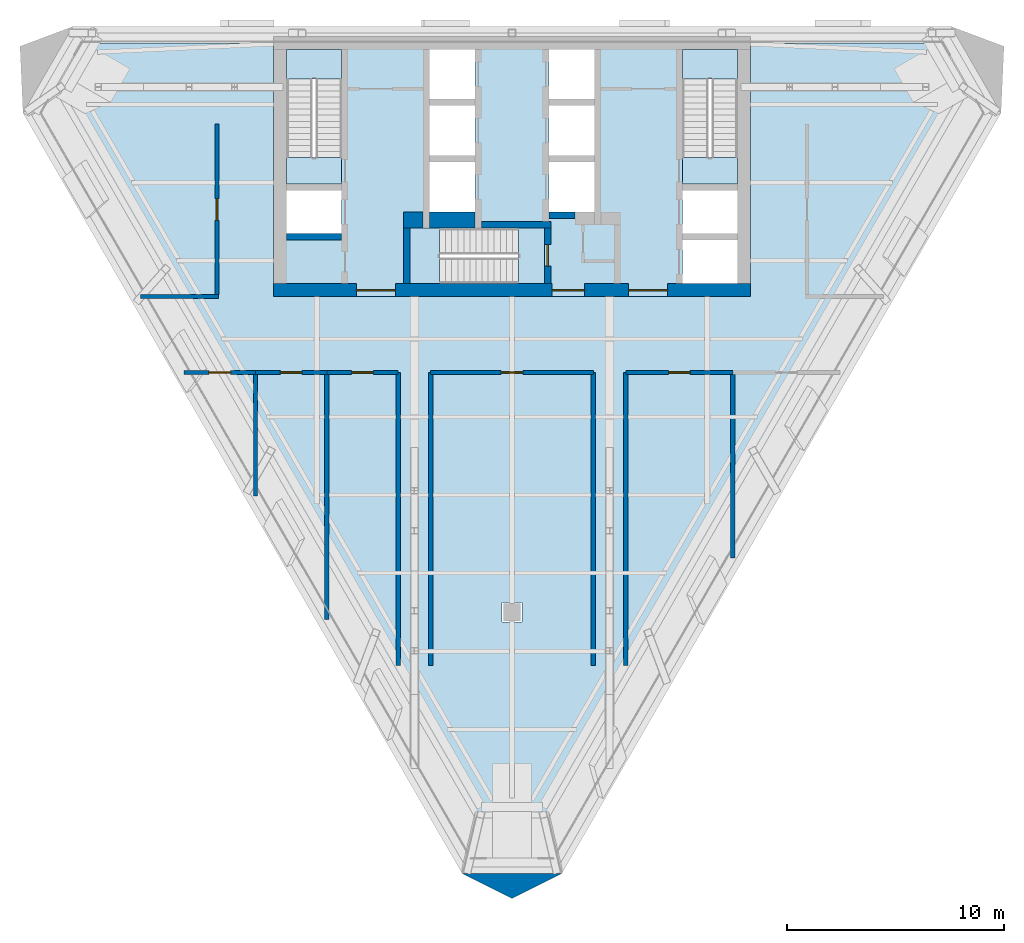
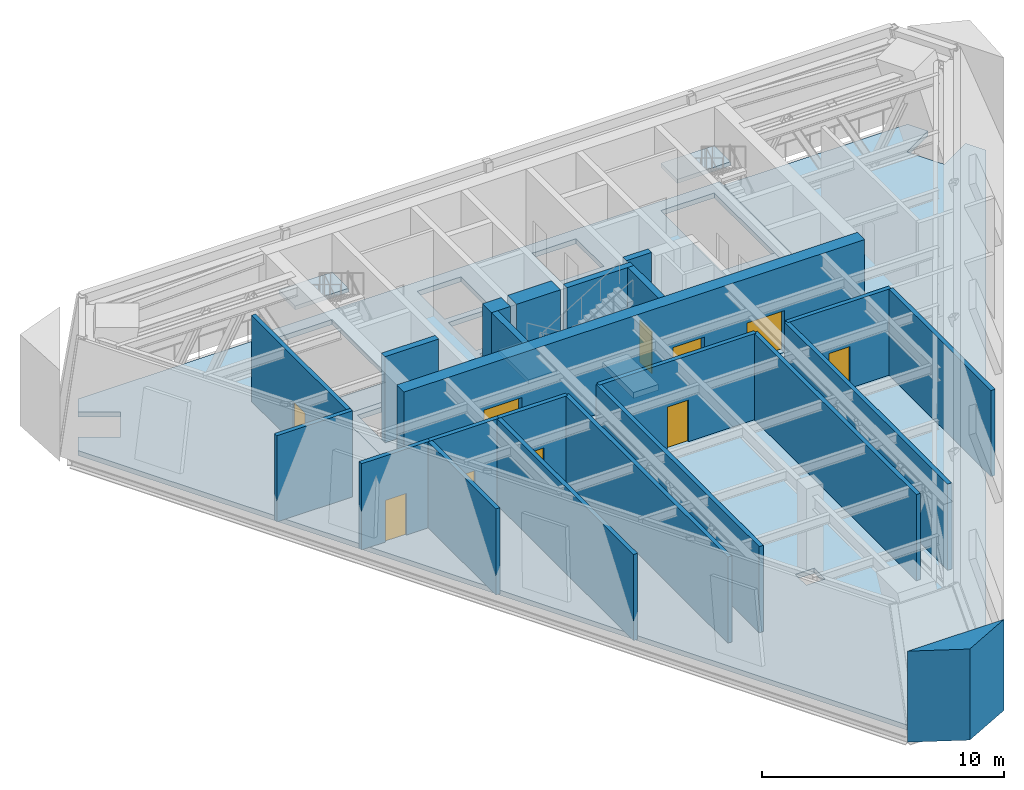
# One storey, part 3 of 11: 23 walls, 10 doors, 8 slabs, 10 openings, 3 elements without a shape of their own.
"""IFC4 building model written with IfcOpenShell, lengths in metres."""

from ifc_helpers import new_model, si_unit, direction, frame, frame_2d, origin, place, context, subcontext, project, spatial, polyline, rectangle, outline, extrude, material, layer, layer_set, type_object, element, fill, aggregate, save


model = new_model("IFC4")

# Units and contexts
model_context = context("Model", 3, precision=1e-05, world=origin(), true_north=direction((0.0, 1.0)))
body_context = subcontext(model_context, "Body", "Model", "MODEL_VIEW")
ifc_project = project(units=[si_unit("LENGTHUNIT", "METRE"), si_unit("AREAUNIT", "SQUARE_METRE"), si_unit("VOLUMEUNIT", "CUBIC_METRE"), si_unit("PLANEANGLEUNIT", "RADIAN"), si_unit("MASSUNIT", "GRAM", prefix="KILO")], contexts=[model_context])

# Site, building, storey
site_placement = place(None, origin())
site = spatial("IfcSite", under=ifc_project, at=site_placement, CompositionType="ELEMENT")
building_placement = place(site_placement, origin())
building = spatial("IfcBuilding", under=site, at=building_placement, Name="Aloe Facet Convention Tower", CompositionType="ELEMENT")
storey_placement = place(building_placement, frame((0.0, 0.0, 175.39990234375)))
storey = spatial("IfcBuildingStorey", under=building, at=storey_placement, Name="L44", CompositionType="ELEMENT", Elevation=175.39990234375)

# Slabs
ifc_material_1 = material(Name="Concrete C60/75", Category="concrete")
ifc_layer_1 = layer(ifc_material_1, 0.25)
ifc_layer_set_1 = layer_set([ifc_layer_1], Name="CR-S-FLOOR250-C6075")
slab_type_1 = type_object("IfcSlabType", Name="CR-S-FLOOR250-C6075", PredefinedType="FLOOR", material=ifc_layer_set_1)
slab_1_placement = place(storey_placement, frame((0.0, 0.0, -0.25)))
element("IfcSlab", 1, at=slab_1_placement, inside=storey, type_object=slab_type_1, Name="Core floor L44", PredefinedType="FLOOR", context=body_context, shape_type="SweptSolid", body=[
    extrude(outline(polyline([(71.85009765625, 134.550048828125), (72.75, 134.550048828125), (75.60009765625, 134.550048828125), (76.5, 134.550048828125), (78.0, 134.550048828125), (78.89990234375, 134.550048828125), (81.10009765625, 134.550048828125), (82.0, 134.550048828125), (83.5, 134.550048828125), (84.39990234375, 134.550048828125), (87.25, 134.550048828125), (88.14990234375, 134.550048828125), (91.0, 134.550048828125), (91.0, 128.050048828125), (91.0, 127.14990234375), (91.0, 125.75), (91.0, 124.85009765625), (91.0, 122.550048828125), (88.14990234375, 122.550048828125), (87.25, 122.550048828125), (85.300048828125, 122.550048828125), (84.39990234375, 122.550048828125), (82.10009765625, 122.550048828125), (81.199951171875, 122.550048828125), (75.60009765625, 122.550048828125), (74.699951171875, 122.550048828125), (72.75, 122.550048828125), (71.85009765625, 122.550048828125), (69.0, 122.550048828125), (69.0, 124.85009765625), (69.0, 125.75), (69.0, 127.14990234375), (69.0, 128.050048828125), (69.0, 134.550048828125), (71.85009765625, 134.550048828125)]), holes=[polyline([(80.298828125, 123.14990234375), (81.5, 123.14990234375), (81.5, 125.699951171875), (80.298828125, 125.699951171875), (75.300048828125, 125.699951171875), (75.300048828125, 123.14990234375), (80.298828125, 123.14990234375)]), polyline([(69.60009765625, 125.449951171875), (72.14990234375, 125.449951171875), (72.14990234375, 127.449951171875), (69.60009765625, 127.449951171875), (69.60009765625, 125.449951171875)]), polyline([(76.199951171875, 126.449951171875), (78.300048828125, 126.449951171875), (78.300048828125, 128.75), (76.199951171875, 128.75), (76.199951171875, 126.449951171875)]), polyline([(78.300048828125, 129.050048828125), (78.300048828125, 131.35009765625), (76.199951171875, 131.35009765625), (76.199951171875, 129.050048828125), (78.300048828125, 129.050048828125)]), polyline([(69.60009765625, 133.949951171875), (69.60009765625, 128.951171875), (69.60009765625, 127.75), (72.14990234375, 127.75), (72.14990234375, 128.951171875), (72.14990234375, 133.949951171875), (69.60009765625, 133.949951171875)]), polyline([(76.199951171875, 131.64990234375), (78.300048828125, 131.64990234375), (78.300048828125, 133.949951171875), (76.199951171875, 133.949951171875), (76.199951171875, 131.64990234375)]), polyline([(90.39990234375, 123.14990234375), (90.39990234375, 125.14990234375), (87.85009765625, 125.14990234375), (87.85009765625, 123.14990234375), (90.39990234375, 123.14990234375)]), polyline([(87.85009765625, 125.449951171875), (90.39990234375, 125.449951171875), (90.39990234375, 127.449951171875), (87.85009765625, 127.449951171875), (87.85009765625, 125.449951171875)]), polyline([(81.699951171875, 126.449951171875), (83.800048828125, 126.449951171875), (83.800048828125, 128.75), (81.699951171875, 128.75), (81.699951171875, 126.449951171875)]), polyline([(83.800048828125, 129.050048828125), (83.800048828125, 131.35009765625), (81.699951171875, 131.35009765625), (81.699951171875, 129.050048828125), (83.800048828125, 129.050048828125)]), polyline([(87.85009765625, 133.949951171875), (87.85009765625, 128.951171875), (87.85009765625, 127.75), (90.39990234375, 127.75), (90.39990234375, 128.951171875), (90.39990234375, 133.949951171875), (87.85009765625, 133.949951171875)]), polyline([(81.699951171875, 131.64990234375), (83.800048828125, 131.64990234375), (83.800048828125, 133.949951171875), (81.699951171875, 133.949951171875), (81.699951171875, 131.64990234375)])]), origin(), (0.0, 0.0, 1.0), 0.25),
])
ifc_material_2 = material(Name="Concrete C60/75", Category="concrete")
ifc_layer_2 = layer(ifc_material_2, 0.300048828125)
ifc_layer_set_2 = layer_set([ifc_layer_2], Name="CR-S-FLOOR300-C6075")
slab_type_2 = type_object("IfcSlabType", Name="CR-S-FLOOR300-C6075", PredefinedType="FLOOR", material=ifc_layer_set_2)
slab_2_placement = place(storey_placement, frame((0.0, 0.0, -0.2998046875)))
element("IfcSlab", 2, at=slab_2_placement, inside=storey, type_object=slab_type_2, Name="Stair landing floor L44", PredefinedType="FLOOR", context=body_context, shape_type="SweptSolid", body=[
    extrude(outline(polyline([(72.14990234375, 127.75), (72.14990234375, 128.951171875), (69.60009765625, 128.951171875), (69.60009765625, 127.75), (72.14990234375, 127.75)])), origin(), (0.0, 0.0, 1.0), 0.2998046875),
])
slab_3_placement = place(storey_placement, frame((0.0, 0.0, -0.2998046875)))
element("IfcSlab", 3, at=slab_3_placement, inside=storey, type_object=slab_type_2, Name="Stair landing floor L44", PredefinedType="FLOOR", context=body_context, shape_type="SweptSolid", body=[
    extrude(outline(polyline([(90.39990234375, 127.75), (90.39990234375, 128.951171875), (87.85009765625, 128.951171875), (87.85009765625, 127.75), (90.39990234375, 127.75)])), origin(), (0.0, 0.0, 1.0), 0.2998046875),
])
slab_4_placement = place(storey_placement, frame((0.0, 0.0, -0.2998046875)))
element("IfcSlab", 4, at=slab_4_placement, inside=storey, type_object=slab_type_2, Name="Stair landing floor L44", PredefinedType="FLOOR", context=body_context, shape_type="SweptSolid", body=[
    extrude(outline(polyline([(81.5, 125.699951171875), (80.298828125, 125.699951171875), (80.298828125, 123.14990234375), (81.5, 123.14990234375), (81.5, 125.699951171875)])), origin(), (0.0, 0.0, 1.0), 0.2998046875),
])

# Stair, slab
ifc_material_3 = material(Name="Concrete C50/60", Category="concrete")
stair_type = type_object("IfcStairType", Name="CR-ST-28R", PredefinedType="HALF_TURN_STAIR", material=ifc_material_3)
stair_1_placement = place(storey_placement, origin())
stair_1 = element("IfcStair", 5, at=stair_1_placement, inside=storey, type_object=stair_type, Name="L44 Protected exit stair ST1", PredefinedType="HALF_TURN_STAIR")
ifc_material_4 = material(Name="Concrete C50/60", Category="concrete")
ifc_layer_3 = layer(ifc_material_4, 0.199951171875)
ifc_layer_set_3 = layer_set([ifc_layer_3], Name="CR-SL-LANDING")
slab_type_3 = type_object("IfcSlabType", Name="CR-SL-LANDING", PredefinedType="LANDING", material=ifc_layer_set_3)
slab_5_placement = place(storey_placement, frame((0.0, 0.0, 2.2001953125)))
slab_5 = element("IfcSlab", 6, at=slab_5_placement, type_object=slab_type_3, Name="ST1 landing 1", PredefinedType="LANDING", context=body_context, shape_type="SweptSolid", body=[
    extrude(outline(polyline([(72.14990234375, 132.590087890625), (72.14990234375, 133.949951171875), (69.60009765625, 133.949951171875), (69.60009765625, 132.590087890625), (72.14990234375, 132.590087890625)])), origin(), (0.0, 0.0, 1.0), 0.199951171875),
])
aggregate(stair_1, [slab_5])

stair_2_placement = place(storey_placement, origin())
stair_2 = element("IfcStair", 7, at=stair_2_placement, inside=storey, type_object=stair_type, Name="L44 Protected exit stair ST2", PredefinedType="HALF_TURN_STAIR")
slab_6_placement = place(storey_placement, frame((0.0, 0.0, 2.2001953125)))
slab_6 = element("IfcSlab", 8, at=slab_6_placement, type_object=slab_type_3, Name="ST2 landing 1", PredefinedType="LANDING", context=body_context, shape_type="SweptSolid", body=[
    extrude(outline(polyline([(90.39990234375, 132.590087890625), (90.39990234375, 133.949951171875), (87.85009765625, 133.949951171875), (87.85009765625, 132.590087890625), (90.39990234375, 132.590087890625)])), origin(), (0.0, 0.0, 1.0), 0.199951171875),
])
aggregate(stair_2, [slab_6])

stair_3_placement = place(storey_placement, origin())
stair_3 = element("IfcStair", 9, at=stair_3_placement, inside=storey, type_object=stair_type, Name="L44 Protected exit stair ST3", PredefinedType="HALF_TURN_STAIR")
slab_7_placement = place(storey_placement, frame((0.0, 0.0, 2.2001953125)))
slab_7 = element("IfcSlab", 10, at=slab_7_placement, type_object=slab_type_3, Name="ST3 landing 1", PredefinedType="LANDING", context=body_context, shape_type="SweptSolid", body=[
    extrude(outline(polyline([(76.659912109375, 125.699951171875), (75.300048828125, 125.699951171875), (75.300048828125, 123.14990234375), (76.659912109375, 123.14990234375), (76.659912109375, 125.699951171875)])), origin(), (0.0, 0.0, 1.0), 0.199951171875),
])
aggregate(stair_3, [slab_7])

# Slab
ifc_material_5 = material(Name="Concrete C35/45", Category="concrete")
ifc_layer_4 = layer(ifc_material_5, 0.25)
ifc_layer_set_4 = layer_set([ifc_layer_4], Name="SF-FS-250")
slab_type_4 = type_object("IfcSlabType", Name="SF-FS-250", PredefinedType="FLOOR", material=ifc_layer_set_4)
slab_8_placement = place(storey_placement, frame((0.0, 0.0, -0.25)))
element("IfcSlab", 11, at=slab_8_placement, inside=storey, type_object=slab_type_4, Name="Floor slab L44-1", PredefinedType="FLOOR", context=body_context, shape_type="SweptSolid", body=[
    extrude(outline(polyline([(100.293701171875, 133.41259765625), (98.778076171875, 132.53759765625), (99.677978515625, 130.978759765625), (101.193603515625, 131.853759765625), (101.677001953125, 131.016357421875), (81.866943359375, 96.7041015625), (80.89990234375, 96.7041015625), (80.89990234375, 98.4541015625), (79.10009765625, 98.4541015625), (79.10009765625, 96.7041015625), (78.133056640625, 96.7041015625), (58.322998046875, 131.016357421875), (58.806396484375, 131.853759765625), (60.322021484375, 130.978759765625), (61.221923828125, 132.53759765625), (59.706298828125, 133.41259765625), (60.18994140625, 134.25), (69.0, 134.25), (69.0, 128.050048828125), (69.0, 127.14990234375), (69.0, 125.75), (69.0, 124.85009765625), (69.0, 122.550048828125), (71.85009765625, 122.550048828125), (72.75, 122.550048828125), (74.699951171875, 122.550048828125), (75.60009765625, 122.550048828125), (81.199951171875, 122.550048828125), (82.10009765625, 122.550048828125), (84.39990234375, 122.550048828125), (85.300048828125, 122.550048828125), (87.25, 122.550048828125), (88.14990234375, 122.550048828125), (91.0, 122.550048828125), (91.0, 124.85009765625), (91.0, 125.75), (91.0, 127.14990234375), (91.0, 128.050048828125), (91.0, 134.25), (99.81005859375, 134.25), (100.293701171875, 133.41259765625)]), holes=[polyline([(79.550048828125, 107.550048828125), (80.449951171875, 107.550048828125), (80.449951171875, 108.449951171875), (79.550048828125, 108.449951171875), (79.550048828125, 107.550048828125)])]), origin(), (0.0, 0.0, 1.0), 0.25),
])

# Walls
ifc_material_6 = material(Name="Concrete C60/75", Category="concrete")
ifc_layer_5 = layer(ifc_material_6, 0.300048828125)
ifc_layer_set_5 = layer_set([ifc_layer_5], Name="CR-W-RC300-C6075")
wall_type_1 = type_object("IfcWallType", Name="CR-W-RC300-C6075", PredefinedType="SOLIDWALL", material=ifc_layer_set_5)
wall_1_placement = place(storey_placement, frame((69.60009765625, 125.300048828125, 0.0), z_axis=(0.0, 0.0, 1.0), x_axis=(1.0, 0.0, 0.0)))
element("IfcWall", 12, at=wall_1_placement, inside=storey, type_object=wall_type_1, Name="Core wall L44-005", PredefinedType="SOLIDWALL", context=body_context, shape_type="SweptSolid", body=[
    extrude(rectangle(XDim=2.5498046875, YDim=0.300048828125, at=frame_2d((1.27490234375, 0.0))), origin(), (0.0, 0.0, 1.0), 4.35009765625),
])
wall_2_placement = place(storey_placement, frame((75.14990234375, 125.699951171875, 0.0), z_axis=(0.0, 0.0, 1.0), x_axis=(0.0, -1.0, 0.0)))
element("IfcWall", 13, at=wall_2_placement, inside=storey, type_object=wall_type_1, Name="Core wall L44-009", PredefinedType="SOLIDWALL", context=body_context, shape_type="SweptSolid", body=[
    extrude(rectangle(XDim=2.550048828125, YDim=0.300048828125, at=frame_2d((1.27490234375, 0.0))), origin(), (0.0, 0.0, 1.0), 4.35009765625),
])
wall_3_placement = place(storey_placement, frame((78.60009765625, 125.85009765625, 0.0), z_axis=(0.0, 0.0, 1.0), x_axis=(1.0, 0.0, 0.0)))
element("IfcWall", 14, at=wall_3_placement, inside=storey, type_object=wall_type_1, Name="Core wall L44-015", PredefinedType="SOLIDWALL", context=body_context, shape_type="SweptSolid", body=[
    extrude(rectangle(XDim=3.199951171875, YDim=0.300048828125, at=frame_2d((1.60009765625, 0.0))), origin(), (0.0, 0.0, 1.0), 4.35009765625),
])

# Wall, opening, door
wall_4_placement = place(storey_placement, frame((81.64990234375, 125.699951171875, 0.0), z_axis=(0.0, 0.0, 1.0), x_axis=(0.0, -1.0, 0.0)))
wall_4 = element("IfcWall", 15, at=wall_4_placement, inside=storey, type_object=wall_type_1, Name="Core wall L44-017", PredefinedType="SOLIDWALL", context=body_context, shape_type="SweptSolid", body=[
    extrude(rectangle(XDim=2.550048828125, YDim=0.300048828125, at=frame_2d((1.27490234375, 0.0))), origin(), (0.0, 0.0, 1.0), 4.35009765625),
])
opening_1_placement = place(wall_4_placement, frame((0.75, 0.0, 0.0)))
opening_1 = element("IfcOpeningElement", 16, at=opening_1_placement, cuts=wall_4, Name="Opening L44-CD18", PredefinedType="OPENING", context=body_context, shape_type="SweptSolid", body=[
    extrude(rectangle(XDim=1.0, YDim=2.10009765625, at=frame_2d((0.5, 1.050048828125))), frame((0.0, 0.16015625, 0.0), z_axis=(0.0, -1.0, 0.0), x_axis=(1.0, 0.0, 0.0)), (0.0, 0.0, 1.0), 0.320068359375),
])
ifc_material_7 = material(Name="Steel fire-resisting door set FD120", Category="steel")
door_type_1 = type_object("IfcDoorType", Name="CR-D-STAIR-1000-FD120-SLEFT", OperationType="SINGLE_SWING_LEFT", PredefinedType="DOOR", material=ifc_material_7)
door_1_placement = place(opening_1_placement, origin())
door_1 = element("IfcDoor", 17, at=door_1_placement, inside=storey, type_object=door_type_1, Name="Core door L44-CD18", OperationType="SINGLE_SWING_LEFT", OverallHeight=2.10009765625, OverallWidth=1.0, PredefinedType="DOOR", context=body_context, shape_type="SweptSolid", body=[
    extrude(rectangle(XDim=1.0, YDim=2.10009765625, at=frame_2d((0.5, 1.050048828125))), frame((0.0, 0.02490234375, 0.0), z_axis=(0.0, -1.0, 0.0), x_axis=(1.0, 0.0, 0.0)), (0.0, 0.0, 1.0), 0.050048828125),
])
fill(opening_1, door_1)

# Wall
wall_5_placement = place(storey_placement, frame((81.699951171875, 126.300048828125, 0.0), z_axis=(0.0, 0.0, 1.0), x_axis=(1.0, 0.0, 0.0)))
element("IfcWall", 18, at=wall_5_placement, inside=storey, type_object=wall_type_1, Name="Core wall L44-020", PredefinedType="SOLIDWALL", context=body_context, shape_type="SweptSolid", body=[
    extrude(rectangle(XDim=1.199951171875, YDim=0.300048828125, at=frame_2d((0.60009765625, 0.0))), origin(), (0.0, 0.0, 1.0), 4.35009765625),
])

# Wall, openings, doors
ifc_material_8 = material(Name="Concrete C60/75", Category="concrete")
ifc_layer_6 = layer(ifc_material_8, 0.60009765625)
ifc_layer_set_6 = layer_set([ifc_layer_6], Name="CR-W-RC600-C6075")
wall_type_2 = type_object("IfcWallType", Name="CR-W-RC600-C6075", PredefinedType="SOLIDWALL", material=ifc_layer_set_6)
wall_6_placement = place(storey_placement, frame((69.0, 122.85009765625, 0.0), z_axis=(0.0, 0.0, 1.0), x_axis=(1.0, 0.0, 0.0)))
wall_6 = element("IfcWall", 19, at=wall_6_placement, inside=storey, type_object=wall_type_2, Name="Core wall L44-003", PredefinedType="SOLIDWALL", context=body_context, shape_type="SweptSolid", body=[
    extrude(rectangle(XDim=22.0, YDim=0.60009765625, at=frame_2d((11.0, 0.0))), origin(), (0.0, 0.0, 1.0), 4.35009765625),
])
opening_2_placement = place(wall_6_placement, frame((16.375, 0.0, 0.0)))
opening_2 = element("IfcOpeningElement", 20, at=opening_2_placement, cuts=wall_6, Name="Opening L44-CD09", PredefinedType="OPENING", context=body_context, shape_type="SweptSolid", body=[
    extrude(rectangle(XDim=1.800048828125, YDim=2.10009765625, at=frame_2d((0.89990234375, 1.050048828125))), frame((0.0, 0.31005859375, 0.0), z_axis=(0.0, -1.0, 0.0), x_axis=(1.0, 0.0, 0.0)), (0.0, 0.0, 1.0), 0.6201171875),
])
opening_3_placement = place(wall_6_placement, frame((3.824951171875, 0.0, 0.0)))
opening_3 = element("IfcOpeningElement", 21, at=opening_3_placement, cuts=wall_6, Name="Opening L44-CD10", PredefinedType="OPENING", context=body_context, shape_type="SweptSolid", body=[
    extrude(rectangle(XDim=1.800048828125, YDim=2.10009765625, at=frame_2d((0.89990234375, 1.050048828125))), frame((0.0, 0.31005859375, 0.0), z_axis=(0.0, -1.0, 0.0), x_axis=(1.0, 0.0, 0.0)), (0.0, 0.0, 1.0), 0.6201171875),
])
opening_4_placement = place(wall_6_placement, frame((12.85009765625, 0.0, 0.0)))
opening_4 = element("IfcOpeningElement", 22, at=opening_4_placement, cuts=wall_6, Name="Opening L44-CD11", PredefinedType="OPENING", context=body_context, shape_type="SweptSolid", body=[
    extrude(rectangle(XDim=1.5, YDim=2.10009765625, at=frame_2d((0.75, 1.050048828125))), frame((0.0, 0.31005859375, 0.0), z_axis=(0.0, -1.0, 0.0), x_axis=(1.0, 0.0, 0.0)), (0.0, 0.0, 1.0), 0.6201171875),
])
ifc_material_9 = material(Name="Steel fire-resisting door set FD60", Category="steel")
door_type_2 = type_object("IfcDoorType", Name="CR-D-EXIT-1500-FD60-DD", OperationType="DOUBLE_DOOR_DOUBLE_SWING", PredefinedType="DOOR", material=ifc_material_9)
door_2_placement = place(opening_4_placement, origin())
door_2 = element("IfcDoor", 23, at=door_2_placement, inside=storey, type_object=door_type_2, Name="Core door L44-CD11", OperationType="DOUBLE_DOOR_DOUBLE_SWING", OverallHeight=2.10009765625, OverallWidth=1.5, PredefinedType="DOOR", context=body_context, shape_type="SweptSolid", body=[
    extrude(rectangle(XDim=1.5, YDim=2.10009765625, at=frame_2d((0.75, 1.050048828125))), frame((0.0, 0.02490234375, 0.0), z_axis=(0.0, -1.0, 0.0), x_axis=(1.0, 0.0, 0.0)), (0.0, 0.0, 1.0), 0.050048828125),
])
fill(opening_4, door_2)
ifc_material_10 = material(Name="Steel fire-resisting door set FD120", Category="steel")
door_type_3 = type_object("IfcDoorType", Name="CR-D-EXIT-1800-FD120-DD", OperationType="DOUBLE_DOOR_DOUBLE_SWING", PredefinedType="DOOR", material=ifc_material_10)
door_3_placement = place(opening_2_placement, origin())
door_3 = element("IfcDoor", 24, at=door_3_placement, inside=storey, type_object=door_type_3, Name="Core door L44-CD09", OperationType="DOUBLE_DOOR_DOUBLE_SWING", OverallHeight=2.10009765625, OverallWidth=1.800048828125, PredefinedType="DOOR", context=body_context, shape_type="SweptSolid", body=[
    extrude(rectangle(XDim=1.800048828125, YDim=2.10009765625, at=frame_2d((0.89990234375, 1.050048828125))), frame((0.0, 0.02490234375, 0.0), z_axis=(0.0, -1.0, 0.0), x_axis=(1.0, 0.0, 0.0)), (0.0, 0.0, 1.0), 0.050048828125),
])
fill(opening_2, door_3)
door_4_placement = place(opening_3_placement, origin())
door_4 = element("IfcDoor", 25, at=door_4_placement, inside=storey, type_object=door_type_3, Name="Core door L44-CD10", OperationType="DOUBLE_DOOR_DOUBLE_SWING", OverallHeight=2.10009765625, OverallWidth=1.800048828125, PredefinedType="DOOR", context=body_context, shape_type="SweptSolid", body=[
    extrude(rectangle(XDim=1.800048828125, YDim=2.10009765625, at=frame_2d((0.89990234375, 1.050048828125))), frame((0.0, 0.02490234375, 0.0), z_axis=(0.0, -1.0, 0.0), x_axis=(1.0, 0.0, 0.0)), (0.0, 0.0, 1.0), 0.050048828125),
])
fill(opening_3, door_4)

# Walls
ifc_material_11 = material(Name="Concrete C60/75", Category="concrete")
ifc_layer_7 = layer(ifc_material_11, 0.75)
ifc_layer_set_7 = layer_set([ifc_layer_7], Name="CR-W-RC750-C6075")
wall_type_3 = type_object("IfcWallType", Name="CR-W-RC750-C6075", PredefinedType="SOLIDWALL", material=ifc_layer_set_7)
wall_7_placement = place(storey_placement, frame((75.0, 126.074951171875, 0.0), z_axis=(0.0, 0.0, 1.0), x_axis=(1.0, 0.0, 0.0)))
element("IfcWall", 26, at=wall_7_placement, inside=storey, type_object=wall_type_3, Name="Core wall L44-008", PredefinedType="SOLIDWALL", context=body_context, shape_type="SweptSolid", body=[
    extrude(rectangle(XDim=0.89990234375, YDim=0.75, at=frame_2d((0.449951171875, 0.0))), origin(), (0.0, 0.0, 1.0), 4.35009765625),
])
wall_8_placement = place(storey_placement, frame((76.199951171875, 126.074951171875, 0.0), z_axis=(0.0, 0.0, 1.0), x_axis=(1.0, 0.0, 0.0)))
element("IfcWall", 27, at=wall_8_placement, inside=storey, type_object=wall_type_3, Name="Core wall L44-013", PredefinedType="SOLIDWALL", context=body_context, shape_type="SweptSolid", body=[
    extrude(rectangle(XDim=2.10009765625, YDim=0.75, at=frame_2d((1.050048828125, 0.0))), origin(), (0.0, 0.0, 1.0), 4.35009765625),
])
ifc_material_12 = material(Name="Precast concrete C40/50", Category="concrete")
ifc_layer_8 = layer(ifc_material_12, 3.947998046875)
ifc_layer_set_8 = layer_set([ifc_layer_8], Name="EV-WALL-SPINE")
wall_type_4 = type_object("IfcWallType", Name="EV-WALL-SPINE", PredefinedType="SOLIDWALL", material=ifc_layer_set_8)
wall_9_placement = place(storey_placement, frame((0.0, 0.0, -0.25)))
element("IfcWall", 28, at=wall_9_placement, inside=storey, type_object=wall_type_4, Name="SP-S-L44", PredefinedType="SOLIDWALL", context=body_context, shape_type="SweptSolid", body=[
    extrude(outline(polyline([(77.699951171875, 95.954345703125), (80.0, 94.80322265625), (82.300048828125, 95.954345703125), (77.699951171875, 95.954345703125)])), origin(), (0.0, 0.0, 1.0), 4.60009765625),
])
ifc_material_13 = material(Name="Masonry blockwork wall, plastered", Category="masonry")
ifc_layer_9 = layer(ifc_material_13, 0.199951171875)
ifc_layer_set_9 = layer_set([ifc_layer_9], Name="IN-POD-W-PLANT")
wall_type_5 = type_object("IfcWallType", Name="IN-POD-W-PLANT", PredefinedType="PARTITIONING", material=ifc_layer_set_9)
wall_10_placement = place(storey_placement, frame((71.461669921875, 107.6591796875, 0.0), z_axis=(0.0, 0.0, 1.0), x_axis=(0.0, 1.0, 0.0)))
element("IfcWall", 29, at=wall_10_placement, inside=storey, type_object=wall_type_5, Name="Partition L44-W001", PredefinedType="PARTITIONING", context=body_context, shape_type="SweptSolid", body=[
    extrude(rectangle(XDim=11.305908203125, YDim=0.199951171875, at=frame_2d((5.65283203125, 0.0))), origin(), (0.0, 0.0, 1.0), 4.35009765625),
])
wall_11_placement = place(storey_placement, frame((90.182373046875, 110.5068359375, 0.0), z_axis=(0.0, 0.0, 1.0), x_axis=(0.0, 1.0, 0.0)))
element("IfcWall", 30, at=wall_11_placement, inside=storey, type_object=wall_type_5, Name="Partition L44-W002", PredefinedType="PARTITIONING", context=body_context, shape_type="SweptSolid", body=[
    extrude(rectangle(XDim=8.458251953125, YDim=0.199951171875, at=frame_2d((4.22900390625, 0.0))), origin(), (0.0, 0.0, 1.0), 4.35009765625),
])
wall_12_placement = place(storey_placement, frame((68.173583984375, 113.3544921875, 0.0), z_axis=(0.0, 0.0, 1.0), x_axis=(0.0, 1.0, 0.0)))
element("IfcWall", 31, at=wall_12_placement, inside=storey, type_object=wall_type_5, Name="Partition L44-W003", PredefinedType="PARTITIONING", context=body_context, shape_type="SweptSolid", body=[
    extrude(rectangle(XDim=5.610595703125, YDim=0.199951171875, at=frame_2d((2.80517578125, 0.0))), origin(), (0.0, 0.0, 1.0), 4.35009765625),
])

# Wall, opening, door
wall_13_placement = place(storey_placement, frame((64.88525390625, 119.050048828125, 0.0), z_axis=(0.0, 0.0, 1.0), x_axis=(1.0, 0.0, 0.0)))
wall_13 = element("IfcWall", 32, at=wall_13_placement, inside=storey, type_object=wall_type_5, Name="Partition L44-W004", PredefinedType="PARTITIONING", context=body_context, shape_type="SweptSolid", body=[
    extrude(rectangle(XDim=3.288330078125, YDim=0.199951171875, at=frame_2d((1.64404296875, 0.0))), origin(), (0.0, 0.0, 1.0), 4.35009765625),
])
opening_5_placement = place(wall_13_placement, frame((1.14404296875, 0.0, 0.0)))
opening_5 = element("IfcOpeningElement", 33, at=opening_5_placement, cuts=wall_13, Name="Opening L44-003", PredefinedType="OPENING", context=body_context, shape_type="SweptSolid", body=[
    extrude(rectangle(XDim=1.0, YDim=2.10009765625, at=frame_2d((0.5, 1.050048828125))), frame((0.0, 0.10986328125, 0.0), z_axis=(0.0, -1.0, 0.0), x_axis=(1.0, 0.0, 0.0)), (0.0, 0.0, 1.0), 0.219970703125),
])
ifc_material_14 = material(Name="Steel flush door, galvanised", Category="steel")
door_type_4 = type_object("IfcDoorType", Name="IN-POD-D-PLANT", OperationType="SINGLE_SWING_LEFT", PredefinedType="DOOR", material=ifc_material_14)
door_5_placement = place(opening_5_placement, origin())
door_5 = element("IfcDoor", 34, at=door_5_placement, inside=storey, type_object=door_type_4, Name="Door L44-003", OperationType="SINGLE_SWING_LEFT", OverallHeight=2.10009765625, OverallWidth=1.0, PredefinedType="DOOR", context=body_context, shape_type="SweptSolid", body=[
    extrude(rectangle(XDim=1.0, YDim=2.10009765625, at=frame_2d((0.5, 1.050048828125))), frame((0.0, 0.02490234375, 0.0), z_axis=(0.0, -1.0, 0.0), x_axis=(1.0, 0.0, 0.0)), (0.0, 0.0, 1.0), 0.050048828125),
])
fill(opening_5, door_5)

wall_14_placement = place(storey_placement, frame((68.173583984375, 119.050048828125, 0.0), z_axis=(0.0, 0.0, 1.0), x_axis=(1.0, 0.0, 0.0)))
wall_14 = element("IfcWall", 35, at=wall_14_placement, inside=storey, type_object=wall_type_5, Name="Partition L44-W005", PredefinedType="PARTITIONING", context=body_context, shape_type="SweptSolid", body=[
    extrude(rectangle(XDim=3.2880859375, YDim=0.199951171875, at=frame_2d((1.64404296875, 0.0))), origin(), (0.0, 0.0, 1.0), 4.35009765625),
])
opening_6_placement = place(wall_14_placement, frame((1.14404296875, 0.0, 0.0)))
opening_6 = element("IfcOpeningElement", 36, at=opening_6_placement, cuts=wall_14, Name="Opening L44-004", PredefinedType="OPENING", context=body_context, shape_type="SweptSolid", body=[
    extrude(rectangle(XDim=1.0, YDim=2.10009765625, at=frame_2d((0.5, 1.050048828125))), frame((0.0, 0.10986328125, 0.0), z_axis=(0.0, -1.0, 0.0), x_axis=(1.0, 0.0, 0.0)), (0.0, 0.0, 1.0), 0.219970703125),
])
door_6_placement = place(opening_6_placement, origin())
door_6 = element("IfcDoor", 37, at=door_6_placement, inside=storey, type_object=door_type_4, Name="Door L44-004", OperationType="SINGLE_SWING_LEFT", OverallHeight=2.10009765625, OverallWidth=1.0, PredefinedType="DOOR", context=body_context, shape_type="SweptSolid", body=[
    extrude(rectangle(XDim=1.0, YDim=2.10009765625, at=frame_2d((0.5, 1.050048828125))), frame((0.0, 0.02490234375, 0.0), z_axis=(0.0, -1.0, 0.0), x_axis=(1.0, 0.0, 0.0)), (0.0, 0.0, 1.0), 0.050048828125),
])
fill(opening_6, door_6)

wall_15_placement = place(storey_placement, frame((71.461669921875, 119.050048828125, 0.0), z_axis=(0.0, 0.0, 1.0), x_axis=(1.0, 0.0, 0.0)))
wall_15 = element("IfcWall", 38, at=wall_15_placement, inside=storey, type_object=wall_type_5, Name="Partition L44-W006", PredefinedType="PARTITIONING", context=body_context, shape_type="SweptSolid", body=[
    extrude(rectangle(XDim=3.288330078125, YDim=0.199951171875, at=frame_2d((1.64404296875, 0.0))), origin(), (0.0, 0.0, 1.0), 4.35009765625),
])
opening_7_placement = place(wall_15_placement, frame((1.14404296875, 0.0, 0.0)))
opening_7 = element("IfcOpeningElement", 39, at=opening_7_placement, cuts=wall_15, Name="Opening L44-005", PredefinedType="OPENING", context=body_context, shape_type="SweptSolid", body=[
    extrude(rectangle(XDim=1.0, YDim=2.10009765625, at=frame_2d((0.5, 1.050048828125))), frame((0.0, 0.10986328125, 0.0), z_axis=(0.0, -1.0, 0.0), x_axis=(1.0, 0.0, 0.0)), (0.0, 0.0, 1.0), 0.219970703125),
])
door_7_placement = place(opening_7_placement, origin())
door_7 = element("IfcDoor", 40, at=door_7_placement, inside=storey, type_object=door_type_4, Name="Door L44-005", OperationType="SINGLE_SWING_LEFT", OverallHeight=2.10009765625, OverallWidth=1.0, PredefinedType="DOOR", context=body_context, shape_type="SweptSolid", body=[
    extrude(rectangle(XDim=1.0, YDim=2.10009765625, at=frame_2d((0.5, 1.050048828125))), frame((0.0, 0.02490234375, 0.0), z_axis=(0.0, -1.0, 0.0), x_axis=(1.0, 0.0, 0.0)), (0.0, 0.0, 1.0), 0.050048828125),
])
fill(opening_7, door_7)

wall_16_placement = place(storey_placement, frame((76.25, 119.050048828125, 0.0), z_axis=(0.0, 0.0, 1.0), x_axis=(1.0, 0.0, 0.0)))
wall_16 = element("IfcWall", 41, at=wall_16_placement, inside=storey, type_object=wall_type_5, Name="Partition L44-W007", PredefinedType="PARTITIONING", context=body_context, shape_type="SweptSolid", body=[
    extrude(rectangle(XDim=7.5, YDim=0.199951171875, at=frame_2d((3.75, 0.0))), origin(), (0.0, 0.0, 1.0), 4.35009765625),
])
opening_8_placement = place(wall_16_placement, frame((3.25, 0.0, 0.0)))
opening_8 = element("IfcOpeningElement", 42, at=opening_8_placement, cuts=wall_16, Name="Opening L44-006", PredefinedType="OPENING", context=body_context, shape_type="SweptSolid", body=[
    extrude(rectangle(XDim=1.0, YDim=2.10009765625, at=frame_2d((0.5, 1.050048828125))), frame((0.0, 0.10986328125, 0.0), z_axis=(0.0, -1.0, 0.0), x_axis=(1.0, 0.0, 0.0)), (0.0, 0.0, 1.0), 0.219970703125),
])
door_8_placement = place(opening_8_placement, origin())
door_8 = element("IfcDoor", 43, at=door_8_placement, inside=storey, type_object=door_type_4, Name="Door L44-006", OperationType="SINGLE_SWING_LEFT", OverallHeight=2.10009765625, OverallWidth=1.0, PredefinedType="DOOR", context=body_context, shape_type="SweptSolid", body=[
    extrude(rectangle(XDim=1.0, YDim=2.10009765625, at=frame_2d((0.5, 1.050048828125))), frame((0.0, 0.02490234375, 0.0), z_axis=(0.0, -1.0, 0.0), x_axis=(1.0, 0.0, 0.0)), (0.0, 0.0, 1.0), 0.050048828125),
])
fill(opening_8, door_8)

wall_17_placement = place(storey_placement, frame((85.25, 119.050048828125, 0.0), z_axis=(0.0, 0.0, 1.0), x_axis=(1.0, 0.0, 0.0)))
wall_17 = element("IfcWall", 44, at=wall_17_placement, inside=storey, type_object=wall_type_5, Name="Partition L44-W008", PredefinedType="PARTITIONING", context=body_context, shape_type="SweptSolid", body=[
    extrude(rectangle(XDim=4.932373046875, YDim=0.199951171875, at=frame_2d((2.46630859375, 0.0))), origin(), (0.0, 0.0, 1.0), 4.35009765625),
])
opening_9_placement = place(wall_17_placement, frame((1.966064453125, 0.0, 0.0)))
opening_9 = element("IfcOpeningElement", 45, at=opening_9_placement, cuts=wall_17, Name="Opening L44-007", PredefinedType="OPENING", context=body_context, shape_type="SweptSolid", body=[
    extrude(rectangle(XDim=1.0, YDim=2.10009765625, at=frame_2d((0.5, 1.050048828125))), frame((0.0, 0.10986328125, 0.0), z_axis=(0.0, -1.0, 0.0), x_axis=(1.0, 0.0, 0.0)), (0.0, 0.0, 1.0), 0.219970703125),
])
door_9_placement = place(opening_9_placement, origin())
door_9 = element("IfcDoor", 46, at=door_9_placement, inside=storey, type_object=door_type_4, Name="Door L44-007", OperationType="SINGLE_SWING_LEFT", OverallHeight=2.10009765625, OverallWidth=1.0, PredefinedType="DOOR", context=body_context, shape_type="SweptSolid", body=[
    extrude(rectangle(XDim=1.0, YDim=2.10009765625, at=frame_2d((0.5, 1.050048828125))), frame((0.0, 0.02490234375, 0.0), z_axis=(0.0, -1.0, 0.0), x_axis=(1.0, 0.0, 0.0)), (0.0, 0.0, 1.0), 0.050048828125),
])
fill(opening_9, door_9)

# Wall
wall_18_placement = place(storey_placement, frame((62.864501953125, 122.550048828125, 0.0), z_axis=(0.0, 0.0, 1.0), x_axis=(1.0, 0.0, 0.0)))
element("IfcWall", 47, at=wall_18_placement, inside=storey, type_object=wall_type_5, Name="Partition L44-W010", PredefinedType="PARTITIONING", context=body_context, shape_type="SweptSolid", body=[
    extrude(rectangle(XDim=3.610595703125, YDim=0.199951171875, at=frame_2d((1.80517578125, 0.0))), origin(), (0.0, 0.0, 1.0), 4.35009765625),
])

# Wall, opening, door
wall_19_placement = place(storey_placement, frame((66.39990234375, 122.635009765625, 0.0), z_axis=(0.0, 0.0, 1.0), x_axis=(0.0, 1.0, 0.0)))
wall_19 = element("IfcWall", 48, at=wall_19_placement, inside=storey, type_object=wall_type_5, Name="Partition L44-W011", PredefinedType="PARTITIONING", context=body_context, shape_type="SweptSolid", body=[
    extrude(rectangle(XDim=7.864990234375, YDim=0.199951171875, at=frame_2d((3.9326171875, 0.0))), origin(), (0.0, 0.0, 1.0), 4.35009765625),
])
opening_10_placement = place(wall_19_placement, frame((3.4326171875, 0.0, 0.0)))
opening_10 = element("IfcOpeningElement", 49, at=opening_10_placement, cuts=wall_19, Name="Opening L44-001", PredefinedType="OPENING", context=body_context, shape_type="SweptSolid", body=[
    extrude(rectangle(XDim=1.0, YDim=2.10009765625, at=frame_2d((0.5, 1.050048828125))), frame((0.0, 0.10986328125, 0.0), z_axis=(0.0, -1.0, 0.0), x_axis=(1.0, 0.0, 0.0)), (0.0, 0.0, 1.0), 0.219970703125),
])
door_10_placement = place(opening_10_placement, origin())
door_10 = element("IfcDoor", 50, at=door_10_placement, inside=storey, type_object=door_type_4, Name="Door L44-001", OperationType="SINGLE_SWING_LEFT", OverallHeight=2.10009765625, OverallWidth=1.0, PredefinedType="DOOR", context=body_context, shape_type="SweptSolid", body=[
    extrude(rectangle(XDim=1.0, YDim=2.10009765625, at=frame_2d((0.5, 1.050048828125))), frame((0.0, 0.02490234375, 0.0), z_axis=(0.0, -1.0, 0.0), x_axis=(1.0, 0.0, 0.0)), (0.0, 0.0, 1.0), 0.050048828125),
])
fill(opening_10, door_10)

# Walls
for number, where, z_axis, x_axis, name in (
    (51, (74.75, 105.550048828125, 0.0), (0.0, 0.0, 1.0), (0.0, 1.0, 0.0), "Partition L44-X01"),
    (52, (76.25, 105.550048828125, 0.0), (0.0, 0.0, 1.0), (0.0, 1.0, 0.0), "Partition L44-X02"),
    (53, (83.75, 105.550048828125, 0.0), (0.0, 0.0, 1.0), (0.0, 1.0, 0.0), "Partition L44-X03"),
    (54, (85.25, 105.550048828125, 0.0), (0.0, 0.0, 1.0), (0.0, 1.0, 0.0), "Partition L44-X04"),
):
    element("IfcWall", number, at=place(storey_placement, frame(where, z_axis=z_axis, x_axis=x_axis)), inside=storey, type_object=wall_type_5, Name=name, PredefinedType="PARTITIONING", context=body_context, shape_type="SweptSolid", body=[
        extrude(rectangle(XDim=13.5, YDim=0.199951171875, at=frame_2d((6.75, 0.0))), origin(), (0.0, 0.0, 1.0), 4.35009765625),
    ])

save(model, "model.ifc")
